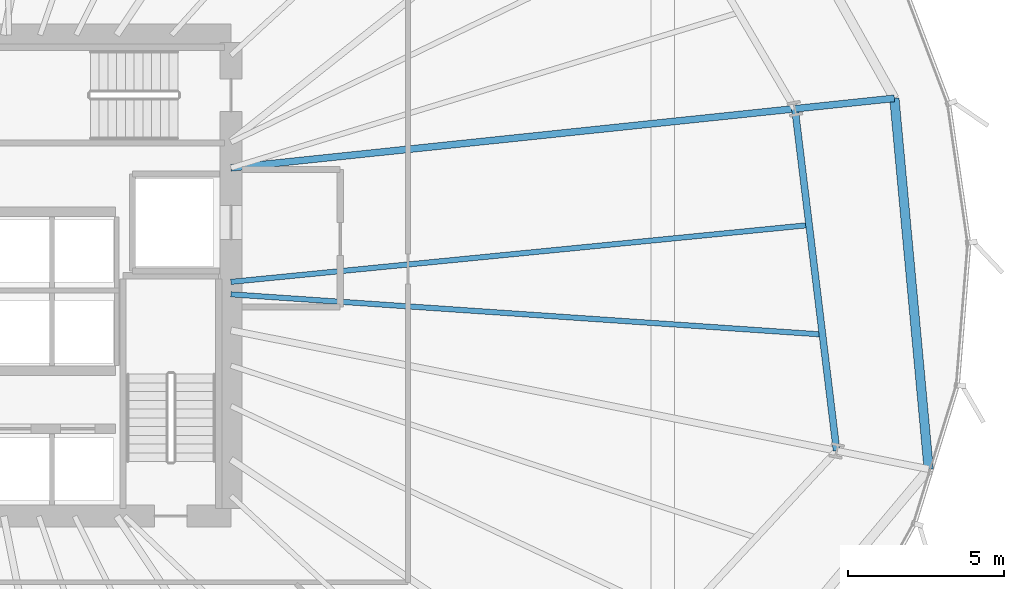
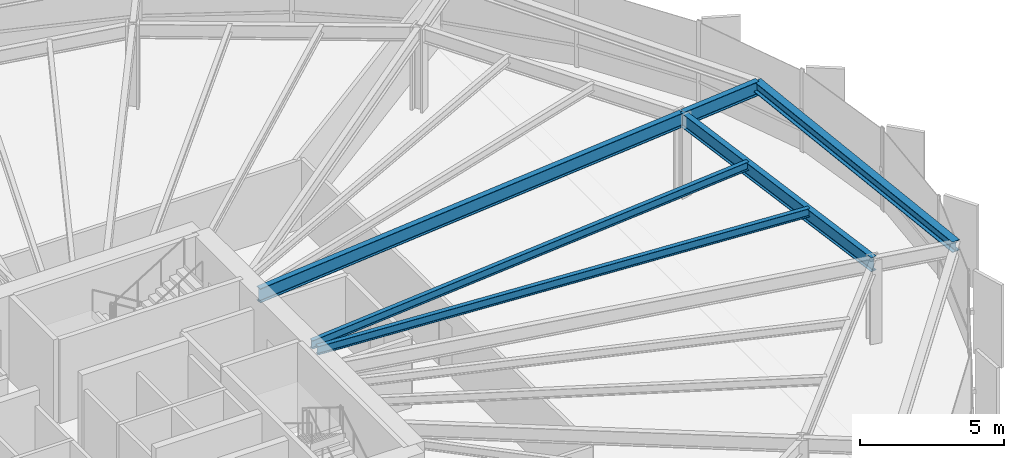
# One storey, part 18 of 42: 6 beams.
"""IFC4 building model written with IfcOpenShell, lengths in metres."""

from ifc_helpers import new_model, si_unit, direction, frame, origin, origin_2d, place, context, subcontext, project, spatial, i_section, extrude, source, transform, mapped, material, material_profile, profile_set, type_object, element, save


model = new_model("IFC4")

# Units and contexts
model_context = context("Model", 3, precision=1e-05, world=origin(), true_north=direction((0.0, 1.0)))
body_context = subcontext(model_context, "Body", "Model", "MODEL_VIEW")
ifc_project = project(units=[si_unit("LENGTHUNIT", "METRE"), si_unit("AREAUNIT", "SQUARE_METRE"), si_unit("VOLUMEUNIT", "CUBIC_METRE"), si_unit("PLANEANGLEUNIT", "RADIAN"), si_unit("MASSUNIT", "GRAM", prefix="KILO"), si_unit("THERMODYNAMICTEMPERATUREUNIT", "KELVIN")], contexts=[model_context])

# Site, building, storey
site_placement = place(None, origin())
site = spatial("IfcSite", under=ifc_project, at=site_placement, CompositionType="ELEMENT")
building_placement = place(site_placement, origin())
building = spatial("IfcBuilding", under=site, at=building_placement, Name="Kethvar Cultural Tower", CompositionType="ELEMENT")
storey_placement = place(building_placement, frame((0.0, 0.0, 37.199951171875)))
storey = spatial("IfcBuildingStorey", under=building, at=storey_placement, Name="L08", CompositionType="ELEMENT", Elevation=37.199951171875)

# Beams
ifc_material = material(Name="Steel S355J2", Category="steel")
ifc_material_profile_1 = material_profile(ifc_material, i_section(OverallWidth=0.219970703125, OverallDepth=0.60009765625, WebThickness=0.011962890625, FlangeThickness=0.01904296875, FilletRadius=0.02392578125, at=origin_2d()), Name="Steel S355J2 — IPE600")
ifc_profile_set_1 = profile_set([ifc_material_profile_1], Name="Steel S355J2 — IPE600")
beam_type_1 = type_object("IfcBeamType", Name="BM-IPE600", PredefinedType="BEAM", material=ifc_profile_set_1)
shared_shape_1 = source(origin(), body_context, "Body", "SweptSolid", [
    extrude(i_section(OverallWidth=0.219970703125, OverallDepth=0.60009765625, WebThickness=0.011962890625, FlangeThickness=0.01904296875, FilletRadius=0.02392578125, at=origin_2d()), origin(), (0.0, 0.0, 1.0), 18.155517578125),
])
beam_1_placement = place(storey_placement, frame((55.60009765625, 31.25, 3.248046875), z_axis=(0.994554710129, 0.104215778847, 0.0), x_axis=(-0.104215778847, 0.994554710129, 0.0)))
element("IfcBeam", 1, at=beam_1_placement, inside=storey, type_object=beam_type_1, Name="L08 Primary Radial Beam RB-01", PredefinedType="BEAM", context=body_context, shape_type="MappedRepresentation", body=[
    mapped(shared_shape_1, transform((0.0, 0.0, 0.0), scale=1.0)),
])
shared_shape_2 = source(origin(), body_context, "Body", "SweptSolid", [
    extrude(i_section(OverallWidth=0.219970703125, OverallDepth=0.60009765625, WebThickness=0.011962890625, FlangeThickness=0.01904296875, FilletRadius=0.02392578125, at=origin_2d()), origin(), (0.0, 0.0, 1.0), 3.199951171875),
])
beam_2_placement = place(storey_placement, frame((73.65673828125, 33.14208984375, 3.248046875), z_axis=(0.994554671638, 0.104216146169, 0.0), x_axis=(-0.104216146169, 0.994554671638, 0.0)))
element("IfcBeam", 2, at=beam_2_placement, inside=storey, type_object=beam_type_1, Name="L08 Perimeter Cantilever Beam RC-01", PredefinedType="BEAM", context=body_context, shape_type="MappedRepresentation", body=[
    mapped(shared_shape_2, transform((0.0, 0.0, 0.0), scale=1.0)),
])
shared_shape_3 = source(origin(), body_context, "Body", "SweptSolid", [
    extrude(i_section(OverallWidth=0.219970703125, OverallDepth=0.60009765625, WebThickness=0.011962890625, FlangeThickness=0.01904296875, FilletRadius=0.02392578125, at=origin_2d()), origin(), (0.0, 0.0, 1.0), 11.03076171875),
])
beam_3_placement = place(storey_placement, frame((74.9912109375, 22.1923828125, 3.248046875), z_axis=(-0.120977779442, 0.992655215511, 0.0), x_axis=(-0.992655215511, -0.120977779442, 0.0)))
element("IfcBeam", 3, at=beam_3_placement, inside=storey, type_object=beam_type_1, Name="L08 Column Ring Tie Beam CR-16", PredefinedType="BEAM", context=body_context, shape_type="MappedRepresentation", body=[
    mapped(shared_shape_3, transform((0.0, 0.0, 0.0), scale=1.0)),
])
ifc_material_profile_2 = material_profile(ifc_material, i_section(OverallWidth=0.169921875, OverallDepth=0.360107421875, WebThickness=0.008056640625, FlangeThickness=0.0126953125, FilletRadius=0.01806640625, at=origin_2d()), Name="Steel S355J2 — IPE360")
ifc_profile_set_2 = profile_set([ifc_material_profile_2], Name="Steel S355J2 — IPE360")
beam_type_2 = type_object("IfcBeamType", Name="BM-J360", PredefinedType="JOIST", material=ifc_profile_set_2)
shared_shape_4 = source(origin(), body_context, "Body", "SweptSolid", [
    extrude(i_section(OverallWidth=0.169921875, OverallDepth=0.360107421875, WebThickness=0.008056640625, FlangeThickness=0.0126953125, FilletRadius=0.01806640625, at=origin_2d()), origin(), (0.0, 0.0, 1.0), 18.981201171875),
])
beam_4_placement = place(storey_placement, frame((55.60009765625, 27.2021484375, 3.3681640625), z_axis=(0.997699141247, -0.067796928805, 0.0), x_axis=(0.067796928805, 0.997699141247, 0.0)))
element("IfcBeam", 4, at=beam_4_placement, inside=storey, type_object=beam_type_2, Name="L08 Composite Floor Joist J-16A", PredefinedType="JOIST", context=body_context, shape_type="MappedRepresentation", body=[
    mapped(shared_shape_4, transform((0.0, 0.0, 0.0), scale=1.0)),
])
shared_shape_5 = source(origin(), body_context, "Body", "SweptSolid", [
    extrude(i_section(OverallWidth=0.169921875, OverallDepth=0.360107421875, WebThickness=0.008056640625, FlangeThickness=0.0126953125, FilletRadius=0.01806640625, at=origin_2d()), origin(), (0.0, 0.0, 1.0), 18.599609375),
])
beam_5_placement = place(storey_placement, frame((55.60009765625, 27.60009765625, 3.3681640625), z_axis=(0.995205855092, 0.097802382335, 0.0), x_axis=(-0.097802382335, 0.995205855092, 0.0)))
element("IfcBeam", 5, at=beam_5_placement, inside=storey, type_object=beam_type_2, Name="L08 Composite Floor Joist J-16B", PredefinedType="JOIST", context=body_context, shape_type="MappedRepresentation", body=[
    mapped(shared_shape_5, transform((0.0, 0.0, 0.0), scale=1.0)),
])
ifc_material_profile_3 = material_profile(ifc_material, i_section(OverallWidth=0.300048828125, OverallDepth=0.449951171875, WebThickness=0.013916015625, FlangeThickness=0.02587890625, FilletRadius=0.027099609375, at=origin_2d()), Name="Steel S355J2 — HEB450")
ifc_profile_set_3 = profile_set([ifc_material_profile_3], Name="Steel S355J2 — HEB450")
beam_type_3 = type_object("IfcBeamType", Name="BM-SP450", PredefinedType="SPANDREL", material=ifc_profile_set_3)
shared_shape_6 = source(origin(), body_context, "Body", "SweptSolid", [
    extrude(i_section(OverallWidth=0.300048828125, OverallDepth=0.449951171875, WebThickness=0.013916015625, FlangeThickness=0.02587890625, FilletRadius=0.027099609375, at=origin_2d()), origin(), (0.0, 0.0, 1.0), 11.920166015625),
])
beam_6_placement = place(storey_placement, frame((77.938720703125, 21.606201171875, 3.322998046875), z_axis=(-0.092227167043, 0.995737992476, 0.0), x_axis=(-0.995737992476, -0.092227167043, 0.0)))
element("IfcBeam", 6, at=beam_6_placement, inside=storey, type_object=beam_type_3, Name="L08 Perimeter Spandrel Beam SP-16", PredefinedType="SPANDREL", context=body_context, shape_type="MappedRepresentation", body=[
    mapped(shared_shape_6, transform((0.0, 0.0, 0.0), scale=1.0)),
])

save(model, "model.ifc")
